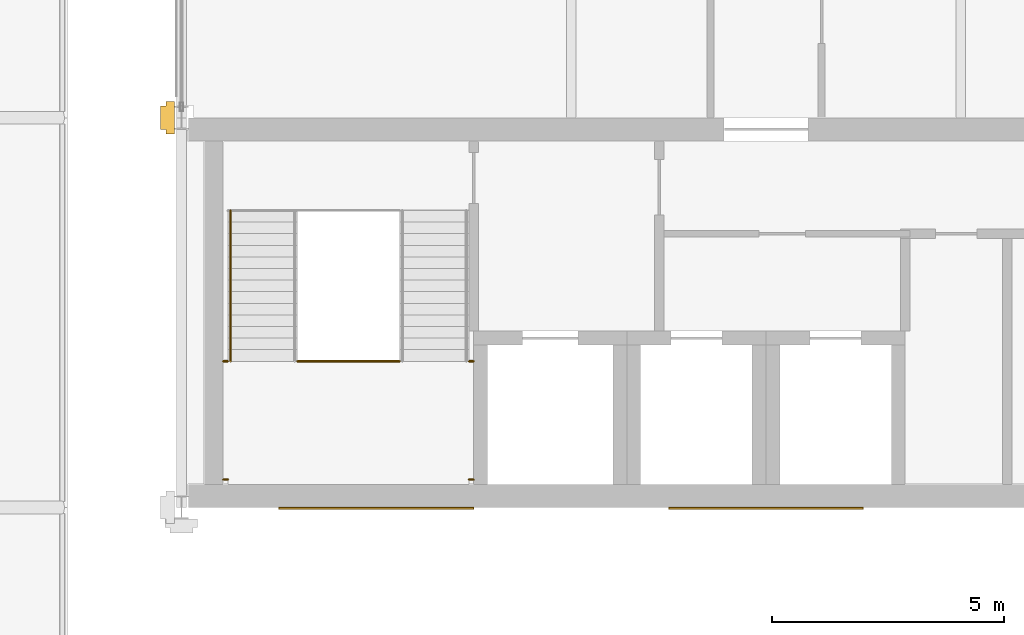
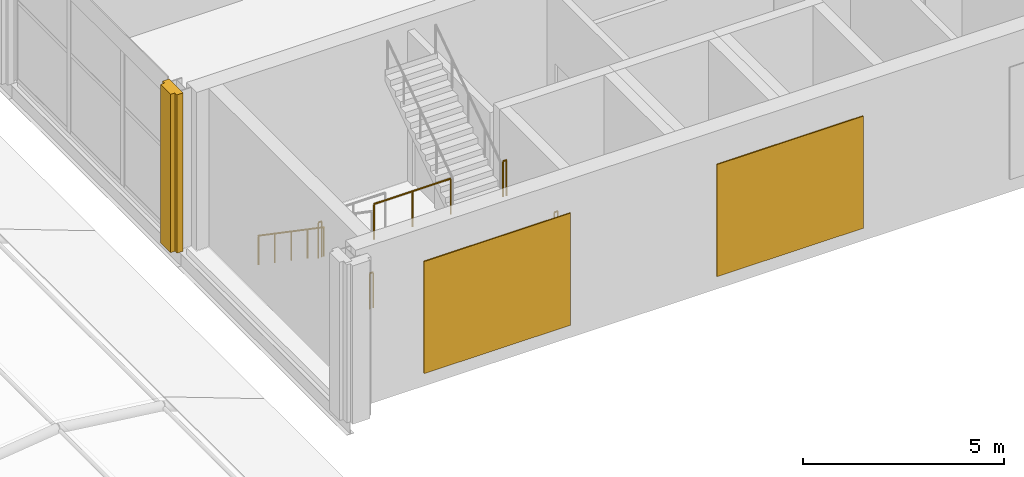
# One storey, part 163 of 167: 6 railings, 3 coverings.
"""IFC4 building model written with IfcOpenShell, lengths in metres."""

from ifc_helpers import new_model, si_unit, direction, frame, origin, origin_2d, place, context, subcontext, project, spatial, polyline, rectangle, circle, outline, extrude, material, layer, layer_set, type_object, element, save


model = new_model("IFC4")

# Units and contexts
model_context = context("Model", 3, precision=1e-05, world=origin(), true_north=direction((0.0, 1.0)))
body_context = subcontext(model_context, "Body", "Model", "MODEL_VIEW")
ifc_project = project(units=[si_unit("LENGTHUNIT", "METRE"), si_unit("AREAUNIT", "SQUARE_METRE"), si_unit("VOLUMEUNIT", "CUBIC_METRE"), si_unit("PLANEANGLEUNIT", "RADIAN"), si_unit("MASSUNIT", "GRAM", prefix="KILO")], contexts=[model_context])

# Site, building, storey
site_placement = place(None, origin())
site = spatial("IfcSite", under=ifc_project, at=site_placement, CompositionType="ELEMENT")
building_placement = place(site_placement, origin())
building = spatial("IfcBuilding", under=site, at=building_placement, Name="Catenary Quay Ferry Terminal", CompositionType="ELEMENT")
storey_placement = place(building_placement, frame((0.0, 0.0, 6.0)))
storey = spatial("IfcBuildingStorey", under=building, at=storey_placement, Name="L01", CompositionType="ELEMENT", Elevation=6.0)

# Coverings
ifc_material_1 = material(Name="Ceramic tile")
ifc_layer_1 = layer(ifc_material_1, 0.0400390625)
ifc_layer_set_1 = layer_set([ifc_layer_1], Name="CL2")
covering_type_1 = type_object("IfcCoveringType", Name="CL2", PredefinedType="CLADDING", material=ifc_layer_set_1)
covering_placement = place(storey_placement, origin())
element("IfcCovering", 1, at=covering_placement, inside=storey, type_object=covering_type_1, Name="Ceramic pier casing", PredefinedType="CLADDING", context=body_context, shape_type="SweptSolid", body=[
    extrude(outline(polyline([(25.050048828125, 168.35009765625), (24.8701171875, 168.35009765625), (24.8701171875, 168.25), (24.75, 168.25), (24.75, 167.75), (24.8701171875, 167.75), (24.8701171875, 167.64990234375), (25.050048828125, 167.64990234375), (25.050048828125, 168.35009765625)])), origin(), (0.0, 0.0, 1.0), 4.800048828125),
])
ifc_material_2 = material(Name="Ceramic tile")
ifc_layer_2 = layer(ifc_material_2, 0.034912109375)
ifc_layer_set_2 = layer_set([ifc_layer_2], Name="CL5")
covering_type_2 = type_object("IfcCoveringType", Name="CL5", PredefinedType="CLADDING", material=ifc_layer_set_2)
for number, where, z_axis, x_axis, name in (
    (2, (29.39990234375, 159.58251953125, 0.400146484375), (0.0, 0.0, 1.0), (1.0, 0.0, 0.0), "Core h159.6 cladding CV321"),
    (3, (37.800048828125, 159.58251953125, 0.400146484375), (0.0, 0.0, 1.0), (1.0, 0.0, 0.0), "Core h159.6 cladding CV322"),
):
    element("IfcCovering", number, at=place(storey_placement, frame(where, z_axis=z_axis, x_axis=x_axis)), inside=storey, type_object=covering_type_2, Name=name, PredefinedType="CLADDING", context=body_context, shape_type="SweptSolid", body=[
        extrude(rectangle(XDim=4.199951171875, YDim=0.034912109375, at=origin_2d()), origin(), (0.0, 0.0, 1.0), 3.39990234375),
    ])

# Railings
ifc_material_3 = material(Name="Steel and glass", Category="steel")
railing_type_1 = type_object("IfcRailingType", Name="GI1", PredefinedType="GUARDRAIL", material=ifc_material_3)
railing_1_placement = place(storey_placement, frame((27.699951171875, 162.75, 2.39990234375)))
element("IfcRailing", 4, at=railing_1_placement, inside=storey, type_object=railing_type_1, Name="HS2 landing guard GI139", PredefinedType="GUARDRAIL", context=body_context, shape_type="SweptSolid", body=[
    extrude(circle(Radius=0.02392578125, at=origin_2d()), frame((0.0, 0.0, 1.076171875), z_axis=(1.0, 0.0, 0.0), x_axis=(0.0, 1.0, 0.0)), (0.0, 0.0, 1.0), 2.199951171875),
    extrude(circle(Radius=0.02099609375, at=origin_2d()), origin(), (0.0, 0.0, 1.0), 1.052001953125),
    extrude(circle(Radius=0.02099609375, at=origin_2d()), frame((1.10009765625, 0.0, 0.0)), (0.0, 0.0, 1.0), 1.052001953125),
    extrude(circle(Radius=0.02099609375, at=origin_2d()), frame((2.199951171875, 0.0, 0.0)), (0.0, 0.0, 1.0), 1.052001953125),
])
railing_2_placement = place(storey_placement, frame((26.10009765625, 162.75, 2.39990234375)))
element("IfcRailing", 5, at=railing_2_placement, inside=storey, type_object=railing_type_1, Name="HS2 strip 0 guard GI140", PredefinedType="GUARDRAIL", context=body_context, shape_type="SweptSolid", body=[
    extrude(circle(Radius=0.02392578125, at=origin_2d()), frame((0.0, 0.0, 1.076171875), z_axis=(1.0, 0.0, 0.0), x_axis=(0.0, 1.0, 0.0)), (0.0, 0.0, 1.0), 0.099853515625),
    extrude(circle(Radius=0.02099609375, at=origin_2d()), origin(), (0.0, 0.0, 1.0), 1.052001953125),
    extrude(circle(Radius=0.02099609375, at=origin_2d()), frame((0.099853515625, 0.0, 0.0)), (0.0, 0.0, 1.0), 1.052001953125),
])
for number, where, name in (
    (6, (26.199951171875, 160.199951171875, 2.39990234375), "HS2 strip 0 guard GI141"),
    (7, (31.5, 160.199951171875, 2.39990234375), "HS2 strip 0 guard GI142"),
):
    element("IfcRailing", number, at=place(storey_placement, frame(where)), inside=storey, type_object=railing_type_1, Name=name, PredefinedType="GUARDRAIL", context=body_context, shape_type="SweptSolid", body=[
        extrude(circle(Radius=0.02392578125, at=origin_2d()), frame((0.0, 0.0, 1.076171875), z_axis=(-1.0, 0.0, 0.0), x_axis=(0.0, -1.0, 0.0)), (0.0, 0.0, 1.0), 0.099853515625),
        extrude(circle(Radius=0.02099609375, at=origin_2d()), origin(), (0.0, 0.0, 1.0), 1.052001953125),
        extrude(circle(Radius=0.02099609375, at=origin_2d()), frame((-0.099853515625, 0.0, 0.0)), (0.0, 0.0, 1.0), 1.052001953125),
    ])
railing_3_placement = place(storey_placement, frame((31.400146484375, 162.75, 2.39990234375)))
element("IfcRailing", 8, at=railing_3_placement, inside=storey, type_object=railing_type_1, Name="HS2 strip 0 guard GI143", PredefinedType="GUARDRAIL", context=body_context, shape_type="SweptSolid", body=[
    extrude(circle(Radius=0.02392578125, at=origin_2d()), frame((0.0, 0.0, 1.076171875), z_axis=(1.0, 0.0, 0.0), x_axis=(0.0, 1.0, 0.0)), (0.0, 0.0, 1.0), 0.099853515625),
    extrude(circle(Radius=0.02099609375, at=origin_2d()), origin(), (0.0, 0.0, 1.0), 1.052001953125),
    extrude(circle(Radius=0.02099609375, at=origin_2d()), frame((0.099853515625, 0.0, 0.0)), (0.0, 0.0, 1.0), 1.052001953125),
])
ifc_material_4 = material(Name="Stainless steel", Category="steel")
railing_type_2 = type_object("IfcRailingType", Name="HR1", PredefinedType="HANDRAIL", material=ifc_material_4)
railing_4_placement = place(storey_placement, frame((26.260009765625, 166.0, 0.17138671875)))
element("IfcRailing", 9, at=railing_4_placement, inside=storey, type_object=railing_type_2, Name="HS2 F1A handrail HR134", PredefinedType="HANDRAIL", context=body_context, shape_type="SweptSolid", body=[
    extrude(circle(Radius=0.02392578125, at=origin_2d()), frame((0.0, 0.0, 0.8759765625), z_axis=(0.0, -0.824735456578, 0.565518723531), x_axis=(1.0, 0.0, 0.0)), (0.0, 0.0, 1.0), 3.940673828125),
    extrude(circle(Radius=0.02099609375, at=origin_2d()), origin(), (0.0, 0.0, 1.0), 0.851806640625),
    extrude(circle(Radius=0.02099609375, at=origin_2d()), frame((0.0, -0.8125, 0.55712890625)), (0.0, 0.0, 1.0), 0.851806640625),
    extrude(circle(Radius=0.02099609375, at=origin_2d()), frame((0.0, -1.625, 1.1142578125)), (0.0, 0.0, 1.0), 0.851806640625),
    extrude(circle(Radius=0.02099609375, at=origin_2d()), frame((0.0, -2.4375, 1.67138671875)), (0.0, 0.0, 1.0), 0.851806640625),
    extrude(circle(Radius=0.02099609375, at=origin_2d()), frame((0.0, -3.25, 2.228515625)), (0.0, 0.0, 1.0), 0.851806640625),
])

save(model, "model.ifc")
